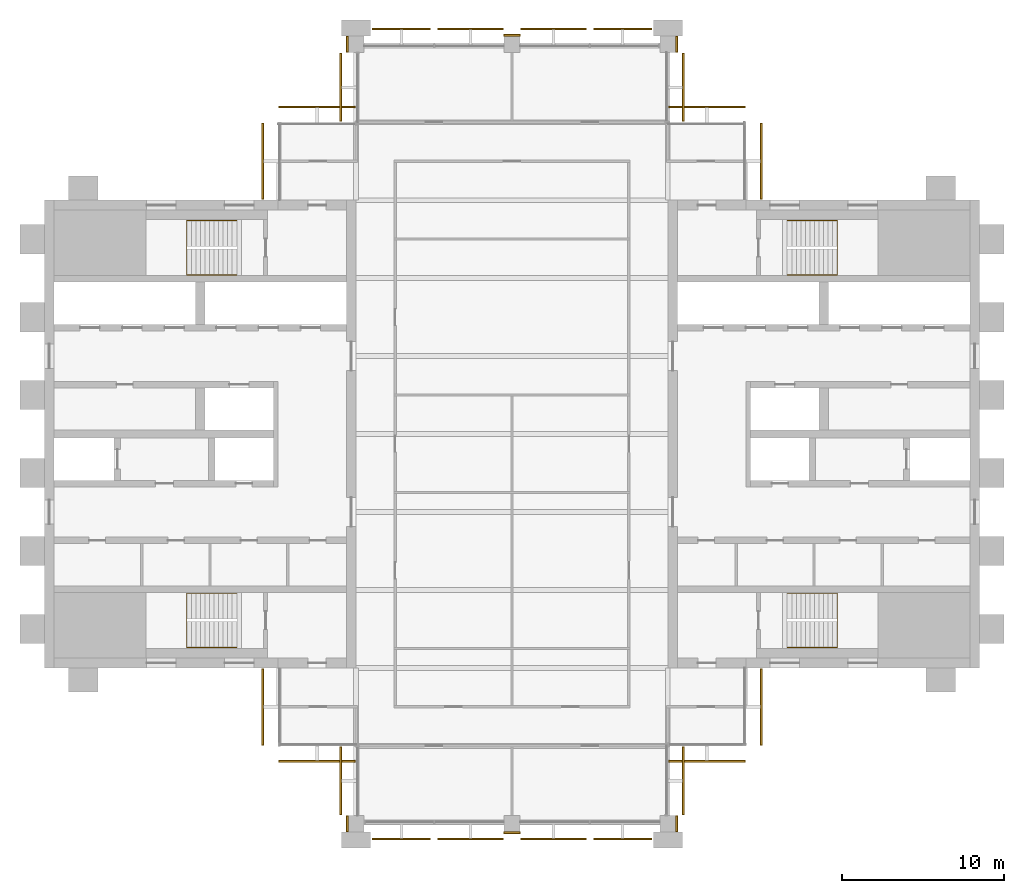
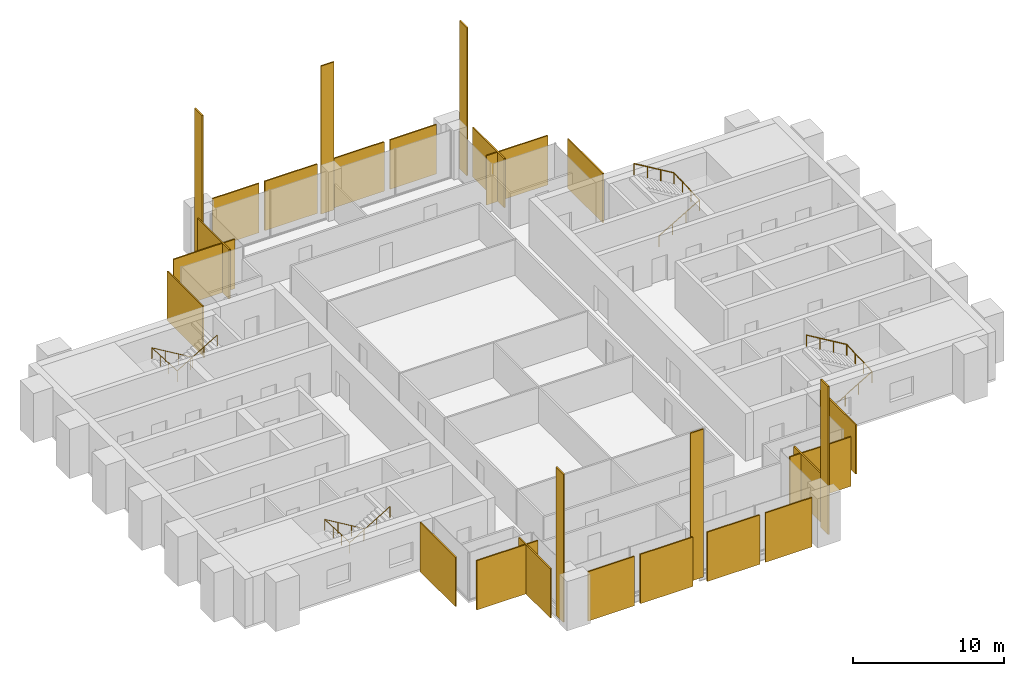
# One storey, part 12 of 12: 26 coverings, 4 railings.
"""IFC4 building model written with IfcOpenShell, lengths in metres."""

import ifcopenshell
import ifcopenshell.guid

model = None  # the IFC model being written
_history = None  # IfcOwnerHistory: only IFC2X3 demands one
_inside = {}  # id of a spatial element -> (the spatial element, [elements in it])
_under = {}  # id of a project, library or spatial element -> (it, [spatial elements below it])
_declared = {}  # id of a project -> (the project, [libraries it declares])
_typed = {}  # id of a type object -> (the type object, [elements of that type])
_made_of = {}  # id of a material, layer set ... -> (it, [elements and type objects made of it])


def new_model(schema):
    """Start an empty IFC model of exactly this schema.

    Asked for "IFC4X3", IfcOpenShell would pick the latest addendum, in which some entities
    have other attributes; the version numbers below select the first issue.
    IFC2X3 requires an IfcOwnerHistory on every rooted entity: one is made here for all.
    """
    global model, _history
    if schema == "IFC4X3":
        model = ifcopenshell.file(schema_version=(4, 3, 0, 0))
    else:
        model = ifcopenshell.file(schema=schema)
    _inside.clear()
    _under.clear()
    _declared.clear()
    _typed.clear()
    _made_of.clear()
    _history = None
    if model.schema == "IFC2X3":
        org = make("IfcOrganization", Name="unknown")
        user = make(
            "IfcPersonAndOrganization",
            ThePerson=make("IfcPerson", FamilyName="unknown"),
            TheOrganization=org,
        )
        app = make(
            "IfcApplication",
            ApplicationDeveloper=org,
            Version="unknown",
            ApplicationFullName="unknown",
            ApplicationIdentifier="unknown",
        )
        _history = make(
            "IfcOwnerHistory",
            OwningUser=user,
            OwningApplication=app,
            ChangeAction="ADDED",
            CreationDate=0,
        )
    return model


def make(cls, **values):
    """One entity of the class cls with the attributes given. An attribute that is None is left unset."""
    return model.create_entity(
        cls, **{name: value for name, value in values.items() if value is not None}
    )


def rooted(cls, **values):
    """An entity with a GlobalId (a new one), such as an element, a storey or a relation."""
    return make(cls, GlobalId=ifcopenshell.guid.new(), OwnerHistory=_history, **values)


def si_unit(unit_type, name, prefix=None):
    """IfcSIUnit, for example si_unit("LENGTHUNIT", "METRE", prefix="MILLI")."""
    return make("IfcSIUnit", UnitType=unit_type, Prefix=prefix, Name=name)


def assignment(units):
    """IfcUnitAssignment: the units of a project."""
    return None if units is None else make("IfcUnitAssignment", Units=units)


def point(xyz):
    """IfcCartesianPoint."""
    return None if xyz is None else make("IfcCartesianPoint", Coordinates=xyz)


def direction(xyz):
    """IfcDirection."""
    return None if xyz is None else make("IfcDirection", DirectionRatios=xyz)


def frame(location, z_axis=None, x_axis=None):
    """IfcAxis2Placement3D, a coordinate frame: its origin and axes. An axis left out is left unset."""
    return make(
        "IfcAxis2Placement3D",
        Location=point(location),
        Axis=direction(z_axis),
        RefDirection=direction(x_axis),
    )


def frame_2d(location, x_axis=None):
    """IfcAxis2Placement2D, a coordinate frame in the plane: its origin and x axis."""
    return make(
        "IfcAxis2Placement2D", Location=point(location), RefDirection=direction(x_axis)
    )


def origin():
    """The frame at (0, 0, 0) with its axes left unset."""
    return frame((0.0, 0.0, 0.0))


def origin_2d():
    """The frame at (0, 0) in the plane with its x axis left unset."""
    return frame_2d((0.0, 0.0))


def place(relative_to, where):
    """IfcLocalPlacement: puts the frame where relative to a parent placement (None: the world)."""
    return make(
        "IfcLocalPlacement", PlacementRelTo=relative_to, RelativePlacement=where
    )


def context(
    kind, dimensions, precision=None, world=None, true_north=None, identifier=None
):
    """IfcGeometricRepresentationContext, for example the 3D "Model" context."""
    return make(
        "IfcGeometricRepresentationContext",
        ContextIdentifier=identifier,
        ContextType=kind,
        CoordinateSpaceDimension=dimensions,
        Precision=precision,
        WorldCoordinateSystem=world,
        TrueNorth=true_north,
    )


def subcontext(parent, identifier, kind, view, scale=None):
    """IfcGeometricRepresentationSubContext, for example "Body" below "Model"."""
    return make(
        "IfcGeometricRepresentationSubContext",
        ContextIdentifier=identifier,
        ContextType=kind,
        ParentContext=parent,
        TargetScale=scale,
        TargetView=view,
    )


def project(units=None, contexts=None):
    """IfcProject with its units and contexts."""
    return rooted(
        "IfcProject",
        Name="project",
        RepresentationContexts=contexts,
        UnitsInContext=assignment(units),
    )


def spatial(cls, under=None, at=None, **own):
    """A site, building, storey or space (cls), placed at a placement, below another one or the project."""
    s = rooted(cls, ObjectPlacement=at, **own)
    if under is not None:
        _under.setdefault(under.id(), (under, []))[1].append(s)
    return s


def polyline(points):
    """IfcPolyline through the points."""
    return make("IfcPolyline", Points=[point(p) for p in points])


def profile(cls, at=None, kind="AREA", **sizes):
    """A parametric profile (cls). Its sizes go by their IFC names, for example OverallWidth=200.0."""
    return make(cls, ProfileType=kind, Position=at, **sizes)


def rectangle(**sizes):
    """IfcRectangleProfileDef."""
    return profile("IfcRectangleProfileDef", **sizes)


def circle(**sizes):
    """IfcCircleProfileDef."""
    return profile("IfcCircleProfileDef", **sizes)


def outline(outer, holes=None, kind="AREA"):
    """IfcArbitraryClosedProfileDef: a profile drawn as a closed curve; with holes, ...WithVoids."""
    if holes is None:
        return make("IfcArbitraryClosedProfileDef", ProfileType=kind, OuterCurve=outer)
    return make(
        "IfcArbitraryProfileDefWithVoids",
        ProfileType=kind,
        OuterCurve=outer,
        InnerCurves=holes,
    )


def extrude(swept, where, along, depth):
    """IfcExtrudedAreaSolid: the profile swept, set in the frame where, extruded along a direction by depth."""
    return make(
        "IfcExtrudedAreaSolid",
        SweptArea=swept,
        Position=where,
        ExtrudedDirection=direction(along),
        Depth=depth,
    )


def shape(context_of_items, identifier, shape_type, items):
    """IfcShapeRepresentation: the items that make up one representation, for example the "Body"."""
    return make(
        "IfcShapeRepresentation",
        ContextOfItems=context_of_items,
        RepresentationIdentifier=identifier,
        RepresentationType=shape_type,
        Items=items,
    )


def material(Name=None, Category=None):
    """IfcMaterial."""
    return make("IfcMaterial", Name=Name, Category=Category)


def layer(
    of_material, thickness, ventilated=None, Name=None, Category=None, Priority=None
):
    """IfcMaterialLayer: one layer of a wall or slab, of a material (None: an air gap)."""
    return make(
        "IfcMaterialLayer",
        Material=of_material,
        LayerThickness=thickness,
        IsVentilated=ventilated,
        Name=Name,
        Category=Category,
        Priority=Priority,
    )


def layer_set(layers, Name=None):
    """IfcMaterialLayerSet."""
    return make("IfcMaterialLayerSet", MaterialLayers=layers, LayerSetName=Name)


def made_of(thing, what):
    """Note that an element or type object is made of a material, layer set ...; save() writes the relation."""
    if what is not None:
        _made_of.setdefault(what.id(), (what, []))[1].append(thing)
    return thing


def type_object(cls, material=None, **own):
    """A type object (cls), such as IfcWallType, which elements share."""
    return made_of(rooted(cls, **own), material)


def element(
    cls,
    number,
    at=None,
    inside=None,
    cuts=None,
    type_object=None,
    material=None,
    context=None,
    identifier="Body",
    shape_type=None,
    held_by="IfcProductDefinitionShape",
    body=None,
    shapes=None,
    **own,
):
    """One element of the class cls, such as IfcWall. Its Tag is "e" and its number.

    at: its placement. inside: the storey or other place that contains it. cuts: it is an
    opening in that element (IfcRelVoidsElement). A single representation is given by context,
    identifier, shape_type and body (its items); several are given by shapes. held_by: the class
    of the entity that holds the representations. save() writes the other relations.
    """
    e = rooted(cls, Tag="e%d" % number, ObjectPlacement=at, **own)
    if body is not None:
        shapes = [shape(context, identifier, shape_type, body)]
    if shapes is not None:
        e.Representation = make(held_by, Representations=shapes)
    if inside is not None:
        _inside.setdefault(inside.id(), (inside, []))[1].append(e)
    if cuts is not None:
        rooted(
            "IfcRelVoidsElement", RelatingBuildingElement=cuts, RelatedOpeningElement=e
        )
    if type_object is not None:
        _typed.setdefault(type_object.id(), (type_object, []))[1].append(e)
    return made_of(e, material)


def aggregate(whole, parts):
    """IfcRelAggregates: a whole, such as a stair, and the parts it consists of."""
    return rooted("IfcRelAggregates", RelatingObject=whole, RelatedObjects=parts)


def save(model, path):
    """Write the relations noted so far, then the file.

    IfcRelAggregates (storeys below a building ...), IfcRelContainedInSpatialStructure (elements
    in a storey), IfcRelDefinesByType, IfcRelAssociatesMaterial and IfcRelDeclares: one each for
    every whole, place, type object, material and project.
    """
    for whole, parts in _under.values():
        aggregate(whole, parts)
    for where, things in _inside.values():
        rooted(
            "IfcRelContainedInSpatialStructure",
            RelatedElements=things,
            RelatingStructure=where,
        )
    for kind, things in _typed.values():
        rooted("IfcRelDefinesByType", RelatedObjects=things, RelatingType=kind)
    for what, things in _made_of.values():
        rooted("IfcRelAssociatesMaterial", RelatedObjects=things, RelatingMaterial=what)
    for by, libraries in _declared.values():
        rooted("IfcRelDeclares", RelatingContext=by, RelatedDefinitions=libraries)
    model.write(path)


model = new_model("IFC4")

# Units and contexts
model_context = context("Model", 3, precision=1e-05, world=origin(), true_north=direction((0.0, 1.0)))
body_context = subcontext(model_context, "Body", "Model", "MODEL_VIEW")
ifc_project = project(units=[si_unit("LENGTHUNIT", "METRE"), si_unit("AREAUNIT", "SQUARE_METRE"), si_unit("VOLUMEUNIT", "CUBIC_METRE"), si_unit("PLANEANGLEUNIT", "RADIAN"), si_unit("MASSUNIT", "GRAM", prefix="KILO")], contexts=[model_context])

# Site, building, storey
site_placement = place(None, origin())
site = spatial("IfcSite", under=ifc_project, at=site_placement, CompositionType="ELEMENT")
building_placement = place(site_placement, origin())
building = spatial("IfcBuilding", under=site, at=building_placement, Name="Baori Bourse Tower", CompositionType="ELEMENT")
storey_placement = place(building_placement, frame((0.0, 0.0, 306.300048828125)))
storey = spatial("IfcBuildingStorey", under=building, at=storey_placement, Name="L67", CompositionType="ELEMENT", Elevation=306.300048828125)

# Railings
ifc_material_1 = material(Name="Powder-coated steel balustrade", Category="steel")
railing_type = type_object("IfcRailingType", Name="Core stair handrail", PredefinedType="HANDRAIL", material=ifc_material_1)
railing_1_placement = place(storey_placement, frame((11.85009765625, 14.199951171875, 0.16650390625)))
element("IfcRailing", 1, at=railing_1_placement, inside=storey, type_object=railing_type, Name="L67 ST1 stair handrail 1", PredefinedType="HANDRAIL", context=body_context, shape_type="SweptSolid", body=[
    extrude(circle(Radius=0.02392578125, at=origin_2d()), frame((0.0, 0.0, 0.8759765625), z_axis=(-0.85927862911, 0.0, 0.511507807912), x_axis=(0.0, -1.0, 0.0)), (0.0, 0.0, 1.0), 3.58447265625),
    extrude(circle(Radius=0.02392578125, at=origin_2d()), frame((-3.080078125, 0.0, 2.70947265625), z_axis=(0.0, -0.998766999029, 0.049643545903), x_axis=(1.0, 0.0, 0.0)), (0.0, 0.0, 1.0), 3.35400390625),
    extrude(circle(Radius=0.02392578125, at=origin_2d()), frame((-3.080078125, -3.349853515625, 2.8759765625), z_axis=(0.85927862911, 0.0, 0.511507807912), x_axis=(0.0, 1.0, 0.0)), (0.0, 0.0, 1.0), 3.58447265625),
    extrude(circle(Radius=0.02099609375, at=origin_2d()), origin(), (0.0, 0.0, 1.0), 0.851806640625),
    extrude(circle(Radius=0.02099609375, at=origin_2d()), frame((-1.026611328125, 0.0, 0.611083984375)), (0.0, 0.0, 1.0), 0.851806640625),
    extrude(circle(Radius=0.02099609375, at=origin_2d()), frame((-2.053466796875, 0.0, 1.222412109375)), (0.0, 0.0, 1.0), 0.851806640625),
    extrude(circle(Radius=0.02099609375, at=origin_2d()), frame((-3.080078125, 0.0, 1.83349609375)), (0.0, 0.0, 1.0), 0.851806640625),
    extrude(circle(Radius=0.02099609375, at=origin_2d()), frame((-3.080078125, -1.11669921875, 1.888916015625)), (0.0, 0.0, 1.0), 0.851806640625),
    extrude(circle(Radius=0.02099609375, at=origin_2d()), frame((-3.080078125, -2.233154296875, 1.944580078125)), (0.0, 0.0, 1.0), 0.851806640625),
    extrude(circle(Radius=0.02099609375, at=origin_2d()), frame((-3.080078125, -3.349853515625, 2.0)), (0.0, 0.0, 1.0), 0.851806640625),
    extrude(circle(Radius=0.02099609375, at=origin_2d()), frame((-2.053466796875, -3.349853515625, 2.611083984375)), (0.0, 0.0, 1.0), 0.851806640625),
    extrude(circle(Radius=0.02099609375, at=origin_2d()), frame((-1.026611328125, -3.349853515625, 3.222412109375)), (0.0, 0.0, 1.0), 0.851806640625),
    extrude(circle(Radius=0.02099609375, at=origin_2d()), frame((0.0, -3.349853515625, 3.83349609375)), (0.0, 0.0, 1.0), 0.851806640625),
])
railing_2_placement = place(storey_placement, frame((11.85009765625, 37.14990234375, 0.16650390625)))
element("IfcRailing", 2, at=railing_2_placement, inside=storey, type_object=railing_type, Name="L67 ST2 stair handrail 1", PredefinedType="HANDRAIL", context=body_context, shape_type="SweptSolid", body=[
    extrude(circle(Radius=0.02392578125, at=origin_2d()), frame((0.0, 0.0, 0.8759765625), z_axis=(-0.85927862911, 0.0, 0.511507807912), x_axis=(0.0, -1.0, 0.0)), (0.0, 0.0, 1.0), 3.58447265625),
    extrude(circle(Radius=0.02392578125, at=origin_2d()), frame((-3.080078125, 0.0, 2.70947265625), z_axis=(0.0, -0.998766999029, 0.049643545903), x_axis=(1.0, 0.0, 0.0)), (0.0, 0.0, 1.0), 3.35400390625),
    extrude(circle(Radius=0.02392578125, at=origin_2d()), frame((-3.080078125, -3.349853515625, 2.8759765625), z_axis=(0.85927862911, 0.0, 0.511507807912), x_axis=(0.0, 1.0, 0.0)), (0.0, 0.0, 1.0), 3.58447265625),
    extrude(circle(Radius=0.02099609375, at=origin_2d()), origin(), (0.0, 0.0, 1.0), 0.851806640625),
    extrude(circle(Radius=0.02099609375, at=origin_2d()), frame((-1.026611328125, 0.0, 0.611083984375)), (0.0, 0.0, 1.0), 0.851806640625),
    extrude(circle(Radius=0.02099609375, at=origin_2d()), frame((-2.053466796875, 0.0, 1.222412109375)), (0.0, 0.0, 1.0), 0.851806640625),
    extrude(circle(Radius=0.02099609375, at=origin_2d()), frame((-3.080078125, 0.0, 1.83349609375)), (0.0, 0.0, 1.0), 0.851806640625),
    extrude(circle(Radius=0.02099609375, at=origin_2d()), frame((-3.080078125, -1.11669921875, 1.888916015625)), (0.0, 0.0, 1.0), 0.851806640625),
    extrude(circle(Radius=0.02099609375, at=origin_2d()), frame((-3.080078125, -2.233154296875, 1.944580078125)), (0.0, 0.0, 1.0), 0.851806640625),
    extrude(circle(Radius=0.02099609375, at=origin_2d()), frame((-3.080078125, -3.349853515625, 2.0)), (0.0, 0.0, 1.0), 0.851806640625),
    extrude(circle(Radius=0.02099609375, at=origin_2d()), frame((-2.053466796875, -3.349853515625, 2.611083984375)), (0.0, 0.0, 1.0), 0.851806640625),
    extrude(circle(Radius=0.02099609375, at=origin_2d()), frame((-1.026611328125, -3.349853515625, 3.222412109375)), (0.0, 0.0, 1.0), 0.851806640625),
    extrude(circle(Radius=0.02099609375, at=origin_2d()), frame((0.0, -3.349853515625, 3.83349609375)), (0.0, 0.0, 1.0), 0.851806640625),
])
railing_3_placement = place(storey_placement, frame((45.75, 10.85009765625, 0.16650390625)))
element("IfcRailing", 3, at=railing_3_placement, inside=storey, type_object=railing_type, Name="L67 ST3 stair handrail 1", PredefinedType="HANDRAIL", context=body_context, shape_type="SweptSolid", body=[
    extrude(circle(Radius=0.02392578125, at=origin_2d()), frame((0.0, 0.0, 0.8759765625), z_axis=(0.85927862911, 0.0, 0.511507807912), x_axis=(0.0, 1.0, 0.0)), (0.0, 0.0, 1.0), 3.58447265625),
    extrude(circle(Radius=0.02392578125, at=origin_2d()), frame((3.080078125, 0.0, 2.70947265625), z_axis=(0.0, 0.998766999029, 0.049643545903), x_axis=(-1.0, 0.0, 0.0)), (0.0, 0.0, 1.0), 3.35400390625),
    extrude(circle(Radius=0.02392578125, at=origin_2d()), frame((3.080078125, 3.349853515625, 2.8759765625), z_axis=(-0.85927862911, 0.0, 0.511507807912), x_axis=(0.0, -1.0, 0.0)), (0.0, 0.0, 1.0), 3.58447265625),
    extrude(circle(Radius=0.02099609375, at=origin_2d()), origin(), (0.0, 0.0, 1.0), 0.851806640625),
    extrude(circle(Radius=0.02099609375, at=origin_2d()), frame((1.026611328125, 0.0, 0.611083984375)), (0.0, 0.0, 1.0), 0.851806640625),
    extrude(circle(Radius=0.02099609375, at=origin_2d()), frame((2.053466796875, 0.0, 1.222412109375)), (0.0, 0.0, 1.0), 0.851806640625),
    extrude(circle(Radius=0.02099609375, at=origin_2d()), frame((3.080078125, 0.0, 1.83349609375)), (0.0, 0.0, 1.0), 0.851806640625),
    extrude(circle(Radius=0.02099609375, at=origin_2d()), frame((3.080078125, 1.11669921875, 1.888916015625)), (0.0, 0.0, 1.0), 0.851806640625),
    extrude(circle(Radius=0.02099609375, at=origin_2d()), frame((3.080078125, 2.233154296875, 1.944580078125)), (0.0, 0.0, 1.0), 0.851806640625),
    extrude(circle(Radius=0.02099609375, at=origin_2d()), frame((3.080078125, 3.349853515625, 2.0)), (0.0, 0.0, 1.0), 0.851806640625),
    extrude(circle(Radius=0.02099609375, at=origin_2d()), frame((2.053466796875, 3.349853515625, 2.611083984375)), (0.0, 0.0, 1.0), 0.851806640625),
    extrude(circle(Radius=0.02099609375, at=origin_2d()), frame((1.026611328125, 3.349853515625, 3.222412109375)), (0.0, 0.0, 1.0), 0.851806640625),
    extrude(circle(Radius=0.02099609375, at=origin_2d()), frame((0.0, 3.349853515625, 3.83349609375)), (0.0, 0.0, 1.0), 0.851806640625),
])
railing_4_placement = place(storey_placement, frame((45.75, 33.800048828125, 0.16650390625)))
element("IfcRailing", 4, at=railing_4_placement, inside=storey, type_object=railing_type, Name="L67 ST4 stair handrail 1", PredefinedType="HANDRAIL", context=body_context, shape_type="SweptSolid", body=[
    extrude(circle(Radius=0.02392578125, at=origin_2d()), frame((0.0, 0.0, 0.8759765625), z_axis=(0.85927862911, 0.0, 0.511507807912), x_axis=(0.0, 1.0, 0.0)), (0.0, 0.0, 1.0), 3.58447265625),
    extrude(circle(Radius=0.02392578125, at=origin_2d()), frame((3.080078125, 0.0, 2.70947265625), z_axis=(0.0, 0.998766999029, 0.049643545903), x_axis=(-1.0, 0.0, 0.0)), (0.0, 0.0, 1.0), 3.35400390625),
    extrude(circle(Radius=0.02392578125, at=origin_2d()), frame((3.080078125, 3.349853515625, 2.8759765625), z_axis=(-0.85927862911, 0.0, 0.511507807912), x_axis=(0.0, -1.0, 0.0)), (0.0, 0.0, 1.0), 3.58447265625),
    extrude(circle(Radius=0.02099609375, at=origin_2d()), origin(), (0.0, 0.0, 1.0), 0.851806640625),
    extrude(circle(Radius=0.02099609375, at=origin_2d()), frame((1.026611328125, 0.0, 0.611083984375)), (0.0, 0.0, 1.0), 0.851806640625),
    extrude(circle(Radius=0.02099609375, at=origin_2d()), frame((2.053466796875, 0.0, 1.222412109375)), (0.0, 0.0, 1.0), 0.851806640625),
    extrude(circle(Radius=0.02099609375, at=origin_2d()), frame((3.080078125, 0.0, 1.83349609375)), (0.0, 0.0, 1.0), 0.851806640625),
    extrude(circle(Radius=0.02099609375, at=origin_2d()), frame((3.080078125, 1.11669921875, 1.888916015625)), (0.0, 0.0, 1.0), 0.851806640625),
    extrude(circle(Radius=0.02099609375, at=origin_2d()), frame((3.080078125, 2.233154296875, 1.944580078125)), (0.0, 0.0, 1.0), 0.851806640625),
    extrude(circle(Radius=0.02099609375, at=origin_2d()), frame((3.080078125, 3.349853515625, 2.0)), (0.0, 0.0, 1.0), 0.851806640625),
    extrude(circle(Radius=0.02099609375, at=origin_2d()), frame((2.053466796875, 3.349853515625, 2.611083984375)), (0.0, 0.0, 1.0), 0.851806640625),
    extrude(circle(Radius=0.02099609375, at=origin_2d()), frame((1.026611328125, 3.349853515625, 3.222412109375)), (0.0, 0.0, 1.0), 0.851806640625),
    extrude(circle(Radius=0.02099609375, at=origin_2d()), frame((0.0, 3.349853515625, 3.83349609375)), (0.0, 0.0, 1.0), 0.851806640625),
])

# Coverings
ifc_material_2 = material(Name="Pale anodised aluminium", Category="aluminium")
ifc_layer_1 = layer(ifc_material_2, 0.10009765625)
ifc_layer_set_1 = layer_set([ifc_layer_1], Name="OS3 Outer skin screen panel")
covering_type_1 = type_object("IfcCoveringType", Name="OS3 Outer skin screen panel", PredefinedType="CLADDING", material=ifc_layer_set_1)
covering_1_placement = place(storey_placement, frame((0.0, 0.0, -0.16015625)))
element("IfcCovering", 5, at=covering_1_placement, inside=storey, type_object=covering_type_1, Name="Outer skin screen L67 1", PredefinedType="CLADDING", context=body_context, shape_type="SweptSolid", body=[
    extrude(outline(polyline([(44.10009765625, 43.14990234375), (44.10009765625, 38.449951171875), (44.199951171875, 38.449951171875), (44.199951171875, 43.14990234375), (44.10009765625, 43.14990234375)])), origin(), (0.0, 0.0, 1.0), 4.0),
])
covering_2_placement = place(storey_placement, frame((0.0, 0.0, -0.16015625)))
element("IfcCovering", 6, at=covering_2_placement, inside=storey, type_object=covering_type_1, Name="Outer skin screen L67 2", PredefinedType="CLADDING", context=body_context, shape_type="SweptSolid", body=[
    extrude(outline(polyline([(38.449951171875, 44.10009765625), (43.14990234375, 44.10009765625), (43.14990234375, 44.199951171875), (38.449951171875, 44.199951171875), (38.449951171875, 44.10009765625)])), origin(), (0.0, 0.0, 1.0), 4.0),
])
covering_3_placement = place(storey_placement, frame((0.0, 0.0, -0.16015625)))
element("IfcCovering", 7, at=covering_3_placement, inside=storey, type_object=covering_type_1, Name="Outer skin screen L67 3", PredefinedType="CLADDING", context=body_context, shape_type="SweptSolid", body=[
    extrude(outline(polyline([(39.300048828125, 47.449951171875), (39.300048828125, 43.25), (39.39990234375, 43.25), (39.39990234375, 47.449951171875), (39.300048828125, 47.449951171875)])), origin(), (0.0, 0.0, 1.0), 4.0),
])
covering_4_placement = place(storey_placement, frame((0.0, 0.0, -0.16015625)))
element("IfcCovering", 8, at=covering_4_placement, inside=storey, type_object=covering_type_1, Name="Outer skin screen L67 4", PredefinedType="CLADDING", context=body_context, shape_type="SweptSolid", body=[
    extrude(outline(polyline([(33.824951171875, 48.89990234375), (37.39990234375, 48.89990234375), (37.39990234375, 49.0), (33.824951171875, 49.0), (33.824951171875, 48.89990234375)])), origin(), (0.0, 0.0, 1.0), 4.0),
])
covering_5_placement = place(storey_placement, frame((0.0, 0.0, -0.16015625)))
element("IfcCovering", 9, at=covering_5_placement, inside=storey, type_object=covering_type_1, Name="Outer skin screen L67 5", PredefinedType="CLADDING", context=body_context, shape_type="SweptSolid", body=[
    extrude(outline(polyline([(29.35009765625, 48.89990234375), (33.375, 48.89990234375), (33.375, 49.0), (29.35009765625, 49.0), (29.35009765625, 48.89990234375)])), origin(), (0.0, 0.0, 1.0), 4.0),
])
covering_6_placement = place(storey_placement, frame((0.0, 0.0, -0.16015625)))
element("IfcCovering", 10, at=covering_6_placement, inside=storey, type_object=covering_type_1, Name="Outer skin screen L67 6", PredefinedType="CLADDING", context=body_context, shape_type="SweptSolid", body=[
    extrude(outline(polyline([(24.22509765625, 48.89990234375), (28.25, 48.89990234375), (28.25, 49.0), (24.22509765625, 49.0), (24.22509765625, 48.89990234375)])), origin(), (0.0, 0.0, 1.0), 4.0),
])
covering_7_placement = place(storey_placement, frame((0.0, 0.0, -0.16015625)))
element("IfcCovering", 11, at=covering_7_placement, inside=storey, type_object=covering_type_1, Name="Outer skin screen L67 7", PredefinedType="CLADDING", context=body_context, shape_type="SweptSolid", body=[
    extrude(outline(polyline([(20.199951171875, 48.89990234375), (23.77490234375, 48.89990234375), (23.77490234375, 49.0), (20.199951171875, 49.0), (20.199951171875, 48.89990234375)])), origin(), (0.0, 0.0, 1.0), 4.0),
])
covering_8_placement = place(storey_placement, frame((0.0, 0.0, -0.16015625)))
element("IfcCovering", 12, at=covering_8_placement, inside=storey, type_object=covering_type_1, Name="Outer skin screen L67 8", PredefinedType="CLADDING", context=body_context, shape_type="SweptSolid", body=[
    extrude(outline(polyline([(18.300048828125, 43.25), (18.300048828125, 47.449951171875), (18.199951171875, 47.449951171875), (18.199951171875, 43.25), (18.300048828125, 43.25)])), origin(), (0.0, 0.0, 1.0), 4.0),
])
covering_9_placement = place(storey_placement, frame((0.0, 0.0, -0.16015625)))
element("IfcCovering", 13, at=covering_9_placement, inside=storey, type_object=covering_type_1, Name="Outer skin screen L67 9", PredefinedType="CLADDING", context=body_context, shape_type="SweptSolid", body=[
    extrude(outline(polyline([(14.449951171875, 44.10009765625), (19.14990234375, 44.10009765625), (19.14990234375, 44.199951171875), (14.449951171875, 44.199951171875), (14.449951171875, 44.10009765625)])), origin(), (0.0, 0.0, 1.0), 4.0),
])
covering_10_placement = place(storey_placement, frame((0.0, 0.0, -0.16015625)))
element("IfcCovering", 14, at=covering_10_placement, inside=storey, type_object=covering_type_1, Name="Outer skin screen L67 10", PredefinedType="CLADDING", context=body_context, shape_type="SweptSolid", body=[
    extrude(outline(polyline([(13.5, 38.449951171875), (13.5, 43.14990234375), (13.39990234375, 43.14990234375), (13.39990234375, 38.449951171875), (13.5, 38.449951171875)])), origin(), (0.0, 0.0, 1.0), 4.0),
])
covering_11_placement = place(storey_placement, frame((0.0, 0.0, -0.16015625)))
element("IfcCovering", 15, at=covering_11_placement, inside=storey, type_object=covering_type_1, Name="Outer skin screen L67 11", PredefinedType="CLADDING", context=body_context, shape_type="SweptSolid", body=[
    extrude(outline(polyline([(13.5, 4.85009765625), (13.5, 9.550048828125), (13.39990234375, 9.550048828125), (13.39990234375, 4.85009765625), (13.5, 4.85009765625)])), origin(), (0.0, 0.0, 1.0), 4.0),
])
covering_12_placement = place(storey_placement, frame((0.0, 0.0, -0.16015625)))
element("IfcCovering", 16, at=covering_12_placement, inside=storey, type_object=covering_type_1, Name="Outer skin screen L67 12", PredefinedType="CLADDING", context=body_context, shape_type="SweptSolid", body=[
    extrude(outline(polyline([(19.14990234375, 3.89990234375), (14.449951171875, 3.89990234375), (14.449951171875, 3.800048828125), (19.14990234375, 3.800048828125), (19.14990234375, 3.89990234375)])), origin(), (0.0, 0.0, 1.0), 4.0),
])
covering_13_placement = place(storey_placement, frame((0.0, 0.0, -0.16015625)))
element("IfcCovering", 17, at=covering_13_placement, inside=storey, type_object=covering_type_1, Name="Outer skin screen L67 13", PredefinedType="CLADDING", context=body_context, shape_type="SweptSolid", body=[
    extrude(outline(polyline([(18.300048828125, 0.550048828125), (18.300048828125, 4.75), (18.199951171875, 4.75), (18.199951171875, 0.550048828125), (18.300048828125, 0.550048828125)])), origin(), (0.0, 0.0, 1.0), 4.0),
])
covering_14_placement = place(storey_placement, frame((0.0, 0.0, -0.16015625)))
element("IfcCovering", 18, at=covering_14_placement, inside=storey, type_object=covering_type_1, Name="Outer skin screen L67 14", PredefinedType="CLADDING", context=body_context, shape_type="SweptSolid", body=[
    extrude(outline(polyline([(23.77490234375, -0.89990234375), (20.199951171875, -0.89990234375), (20.199951171875, -1.0), (23.77490234375, -1.0), (23.77490234375, -0.89990234375)])), origin(), (0.0, 0.0, 1.0), 4.0),
])
covering_15_placement = place(storey_placement, frame((0.0, 0.0, -0.16015625)))
element("IfcCovering", 19, at=covering_15_placement, inside=storey, type_object=covering_type_1, Name="Outer skin screen L67 15", PredefinedType="CLADDING", context=body_context, shape_type="SweptSolid", body=[
    extrude(outline(polyline([(28.25, -0.89990234375), (24.22509765625, -0.89990234375), (24.22509765625, -1.0), (28.25, -1.0), (28.25, -0.89990234375)])), origin(), (0.0, 0.0, 1.0), 4.0),
])
covering_16_placement = place(storey_placement, frame((0.0, 0.0, -0.16015625)))
element("IfcCovering", 20, at=covering_16_placement, inside=storey, type_object=covering_type_1, Name="Outer skin screen L67 16", PredefinedType="CLADDING", context=body_context, shape_type="SweptSolid", body=[
    extrude(outline(polyline([(33.375, -0.89990234375), (29.35009765625, -0.89990234375), (29.35009765625, -1.0), (33.375, -1.0), (33.375, -0.89990234375)])), origin(), (0.0, 0.0, 1.0), 4.0),
])
covering_17_placement = place(storey_placement, frame((0.0, 0.0, -0.16015625)))
element("IfcCovering", 21, at=covering_17_placement, inside=storey, type_object=covering_type_1, Name="Outer skin screen L67 17", PredefinedType="CLADDING", context=body_context, shape_type="SweptSolid", body=[
    extrude(outline(polyline([(37.39990234375, -0.89990234375), (33.824951171875, -0.89990234375), (33.824951171875, -1.0), (37.39990234375, -1.0), (37.39990234375, -0.89990234375)])), origin(), (0.0, 0.0, 1.0), 4.0),
])
covering_18_placement = place(storey_placement, frame((0.0, 0.0, -0.16015625)))
element("IfcCovering", 22, at=covering_18_placement, inside=storey, type_object=covering_type_1, Name="Outer skin screen L67 18", PredefinedType="CLADDING", context=body_context, shape_type="SweptSolid", body=[
    extrude(outline(polyline([(39.300048828125, 4.75), (39.300048828125, 0.550048828125), (39.39990234375, 0.550048828125), (39.39990234375, 4.75), (39.300048828125, 4.75)])), origin(), (0.0, 0.0, 1.0), 4.0),
])
covering_19_placement = place(storey_placement, frame((0.0, 0.0, -0.16015625)))
element("IfcCovering", 23, at=covering_19_placement, inside=storey, type_object=covering_type_1, Name="Outer skin screen L67 19", PredefinedType="CLADDING", context=body_context, shape_type="SweptSolid", body=[
    extrude(outline(polyline([(43.14990234375, 3.89990234375), (38.449951171875, 3.89990234375), (38.449951171875, 3.800048828125), (43.14990234375, 3.800048828125), (43.14990234375, 3.89990234375)])), origin(), (0.0, 0.0, 1.0), 4.0),
])
covering_20_placement = place(storey_placement, frame((0.0, 0.0, -0.16015625)))
element("IfcCovering", 24, at=covering_20_placement, inside=storey, type_object=covering_type_1, Name="Outer skin screen L67 20", PredefinedType="CLADDING", context=body_context, shape_type="SweptSolid", body=[
    extrude(outline(polyline([(44.10009765625, 9.550048828125), (44.10009765625, 4.85009765625), (44.199951171875, 4.85009765625), (44.199951171875, 9.550048828125), (44.10009765625, 9.550048828125)])), origin(), (0.0, 0.0, 1.0), 4.0),
])
ifc_material_3 = material(Name="Face brick", Category="masonry")
ifc_layer_2 = layer(ifc_material_3, 0.110107421875)
ifc_layer_set_2 = layer_set([ifc_layer_2], Name="PC1 Brick pier facing")
covering_type_2 = type_object("IfcCoveringType", Name="PC1 Brick pier facing", PredefinedType="CLADDING", material=ifc_layer_set_2)
covering_21_placement = place(storey_placement, frame((18.64501953125, 0.0, 0.0), z_axis=(0.0, 0.0, 1.0), x_axis=(1.0, 0.0, 0.0)))
element("IfcCovering", 25, at=covering_21_placement, inside=storey, type_object=covering_type_2, Name="Brick pier facing L67 1", PredefinedType="CLADDING", context=body_context, shape_type="SweptSolid", body=[
    extrude(rectangle(XDim=0.110107421875, YDim=1.0, at=origin_2d()), origin(), (0.0, 0.0, 1.0), 12.0),
])
covering_22_placement = place(storey_placement, frame((28.800048828125, -0.554931640625, 0.0), z_axis=(0.0, 0.0, 1.0), x_axis=(1.0, 0.0, 0.0)))
element("IfcCovering", 26, at=covering_22_placement, inside=storey, type_object=covering_type_2, Name="Brick pier facing L67 2", PredefinedType="CLADDING", context=body_context, shape_type="SweptSolid", body=[
    extrude(rectangle(XDim=1.0, YDim=0.110107421875, at=origin_2d()), origin(), (0.0, 0.0, 1.0), 12.0),
])
for number, where, z_axis, x_axis, name in (
    (27, (38.955078125, 0.0, 0.0), (0.0, 0.0, 1.0), (1.0, 0.0, 0.0), "Brick pier facing L67 3"),
    (28, (18.64501953125, 48.0, 0.0), (0.0, 0.0, 1.0), (1.0, 0.0, 0.0), "Brick pier facing L67 4"),
):
    element("IfcCovering", number, at=place(storey_placement, frame(where, z_axis=z_axis, x_axis=x_axis)), inside=storey, type_object=covering_type_2, Name=name, PredefinedType="CLADDING", context=body_context, shape_type="SweptSolid", body=[
        extrude(rectangle(XDim=0.110107421875, YDim=1.0, at=origin_2d()), origin(), (0.0, 0.0, 1.0), 12.0),
    ])
covering_23_placement = place(storey_placement, frame((28.800048828125, 48.554931640625, 0.0), z_axis=(0.0, 0.0, 1.0), x_axis=(1.0, 0.0, 0.0)))
element("IfcCovering", 29, at=covering_23_placement, inside=storey, type_object=covering_type_2, Name="Brick pier facing L67 5", PredefinedType="CLADDING", context=body_context, shape_type="SweptSolid", body=[
    extrude(rectangle(XDim=1.0, YDim=0.110107421875, at=origin_2d()), origin(), (0.0, 0.0, 1.0), 12.0),
])
covering_24_placement = place(storey_placement, frame((38.955078125, 48.0, 0.0), z_axis=(0.0, 0.0, 1.0), x_axis=(1.0, 0.0, 0.0)))
element("IfcCovering", 30, at=covering_24_placement, inside=storey, type_object=covering_type_2, Name="Brick pier facing L67 6", PredefinedType="CLADDING", context=body_context, shape_type="SweptSolid", body=[
    extrude(rectangle(XDim=0.110107421875, YDim=1.0, at=origin_2d()), origin(), (0.0, 0.0, 1.0), 12.0),
])

save(model, "model.ifc")
